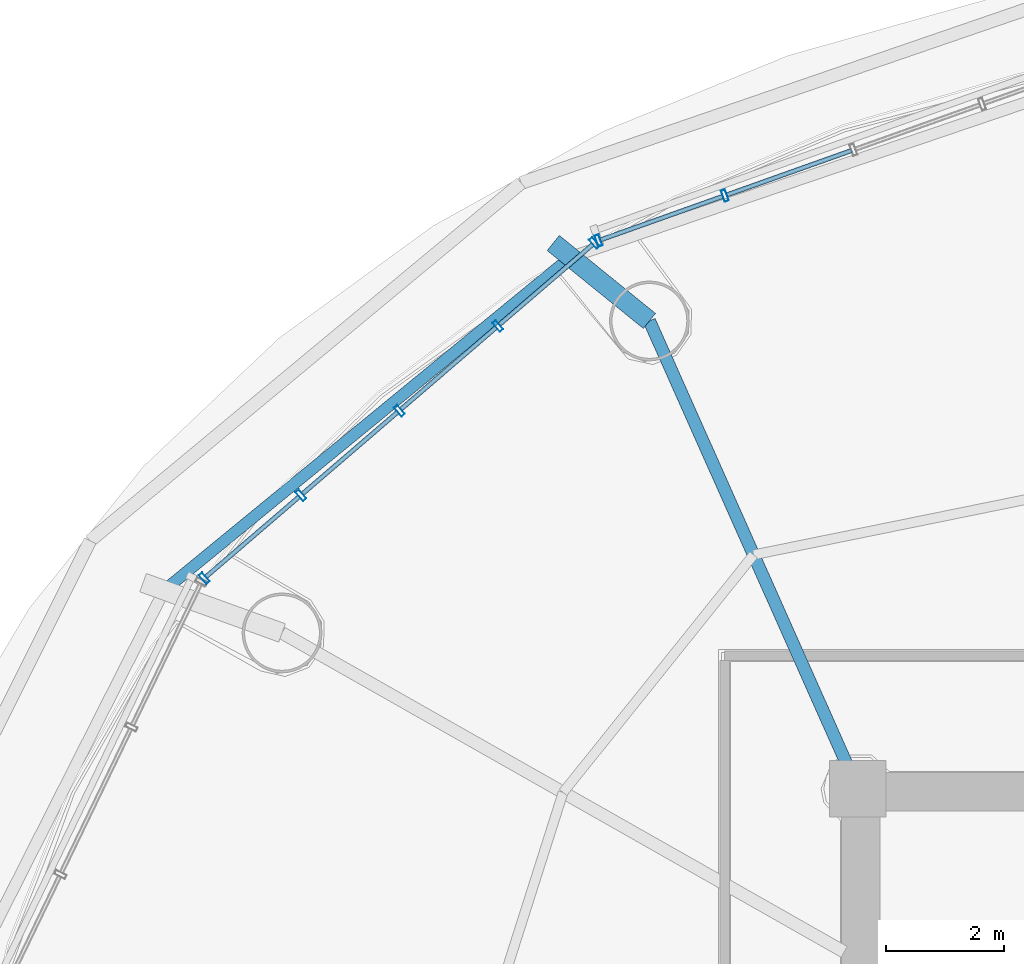
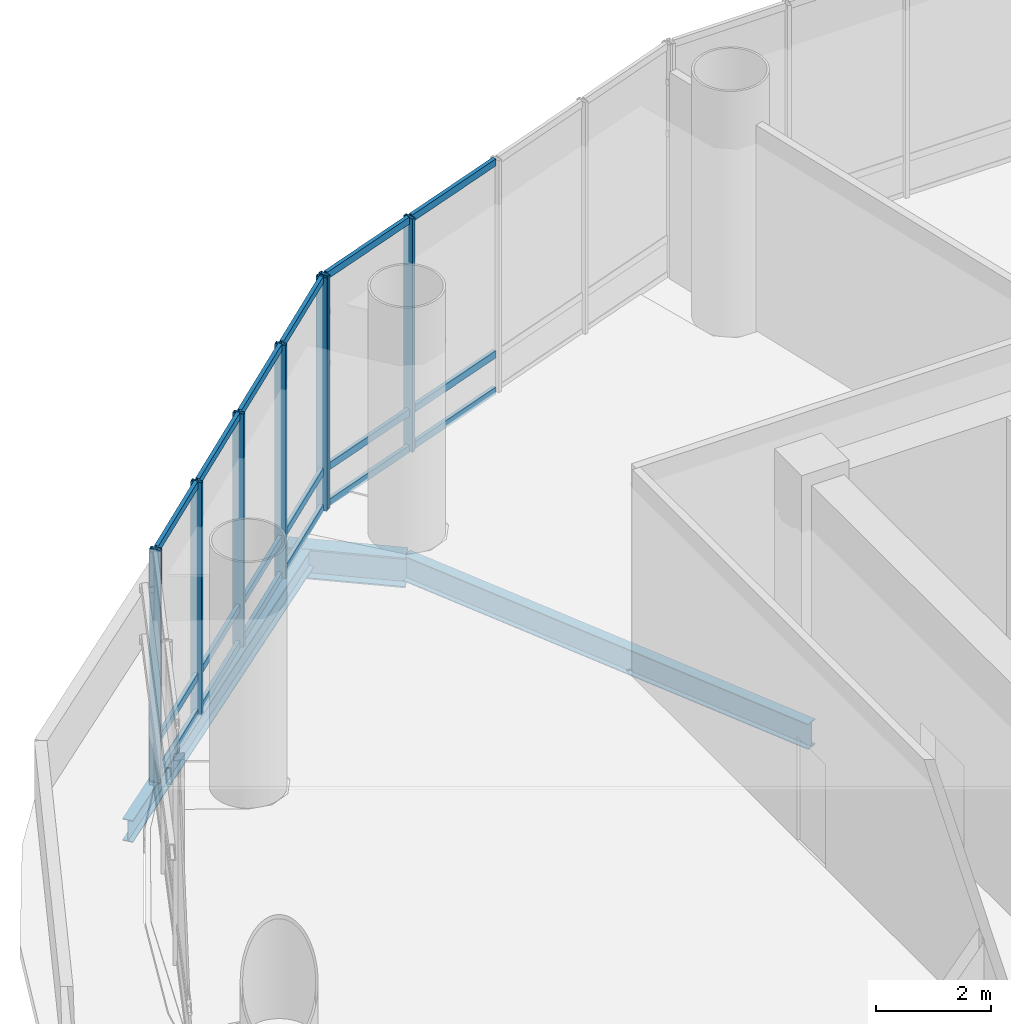
# One storey, part 14 of 29: 25 members, 3 beams, 2 elements without a shape of their own.
"""IFC4 building model written with IfcOpenShell, lengths in metres."""

from ifc_helpers import new_model, si_unit, direction, frame, origin, origin_2d, place, context, subcontext, project, spatial, hollow_rectangle, i_section, extrude, source, transform, mapped, material, material_profile, profile_set, type_object, element, aggregate, save


model = new_model("IFC4")

# Units and contexts
model_context = context("Model", 3, precision=1e-05, world=origin(), true_north=direction((-0.2419218956, 0.970295726276)))
body_context = subcontext(model_context, "Body", "Model", "MODEL_VIEW")
ifc_project = project(units=[si_unit("LENGTHUNIT", "METRE"), si_unit("AREAUNIT", "SQUARE_METRE"), si_unit("VOLUMEUNIT", "CUBIC_METRE"), si_unit("PLANEANGLEUNIT", "RADIAN"), si_unit("MASSUNIT", "GRAM", prefix="KILO")], contexts=[model_context])

# Site, building, storey
site_placement = place(None, origin())
site = spatial("IfcSite", under=ifc_project, at=site_placement, CompositionType="ELEMENT")
building_placement = place(site_placement, origin())
building = spatial("IfcBuilding", under=site, at=building_placement, Name="Cobrevalo Terracotta Tower", CompositionType="ELEMENT")
storey_placement = place(building_placement, frame((0.0, 0.0, 130.199951171875)))
storey = spatial("IfcBuildingStorey", under=building, at=storey_placement, Name="L34", CompositionType="ELEMENT", Elevation=130.199951171875)

# Beams
ifc_material_1 = material(Name="Steel S355", Category="steel")
ifc_material_profile_1 = material_profile(ifc_material_1, i_section(OverallWidth=0.2109375, OverallDepth=0.5390625, WebThickness=0.01171875, FlangeThickness=0.018798828125, at=origin_2d()), Name="W 530x109")
ifc_profile_set_1 = profile_set([ifc_material_profile_1], Name="Steel S355")
beam_type_1 = type_object("IfcBeamType", Name="Structural Beam W 530x109 (Steel S355)", PredefinedType="BEAM", material=ifc_profile_set_1)
beam_1_placement = place(storey_placement, frame((25.471923828125, 42.72265625, -0.719482421875), z_axis=(0.406804395691, -0.913515289224, 0.0), x_axis=(0.913515289224, 0.406804395691, 0.0)))
element("IfcBeam", 1, at=beam_1_placement, inside=storey, type_object=beam_type_1, Name="L34 radial floor girder 06", PredefinedType="BEAM", context=body_context, shape_type="SweptSolid", body=[
    extrude(i_section(OverallWidth=0.2109375, OverallDepth=0.5390625, WebThickness=0.01171875, FlangeThickness=0.018798828125, at=origin_2d()), origin(), (0.0, 0.0, 1.0), 8.672607421875),
])
ifc_material_profile_2 = material_profile(ifc_material_1, i_section(OverallWidth=0.3291015625, OverallDepth=0.635009765625, WebThickness=0.017822265625, FlangeThickness=0.031005859375, at=origin_2d()), Name="W 610x241")
ifc_profile_set_2 = profile_set([ifc_material_profile_2], Name="Steel S355")
beam_type_2 = type_object("IfcBeamType", Name="Structural Beam W 610x241 (Steel S355)", PredefinedType="BEAM", material=ifc_profile_set_2)
beam_2_placement = place(storey_placement, frame((23.84326171875, 44.04296875, -0.767333984375), z_axis=(0.776808092636, -0.629737395439, 0.0), x_axis=(0.629737395439, 0.776808092636, 0.0)))
element("IfcBeam", 2, at=beam_2_placement, inside=storey, type_object=beam_type_2, Name="L34 setback step-link girder 06", PredefinedType="BEAM", context=body_context, shape_type="SweptSolid", body=[
    extrude(i_section(OverallWidth=0.3291015625, OverallDepth=0.635009765625, WebThickness=0.017822265625, FlangeThickness=0.031005859375, at=origin_2d()), origin(), (0.0, 0.0, 1.0), 2.0966796875),
])
ifc_material_profile_3 = material_profile(ifc_material_1, i_section(OverallWidth=0.194091796875, OverallDepth=0.468994140625, WebThickness=0.011474609375, FlangeThickness=0.0205078125, at=origin_2d()), Name="W 460x106")
ifc_profile_set_3 = profile_set([ifc_material_profile_3], Name="Steel S355")
beam_type_3 = type_object("IfcBeamType", Name="Structural Spandrel W 460x106 (Steel S355)", PredefinedType="SPANDREL", material=ifc_profile_set_3)
beam_3_placement = place(storey_placement, frame((24.138427734375, 43.803466796875, -0.6845703125), z_axis=(-0.773400923541, -0.633917196064, 0.0), x_axis=(0.633917196064, -0.773400923541, 0.0)))
element("IfcBeam", 3, at=beam_3_placement, inside=storey, type_object=beam_type_3, Name="L34 perimeter ring spandrel 06", PredefinedType="SPANDREL", context=body_context, shape_type="SweptSolid", body=[
    extrude(i_section(OverallWidth=0.194091796875, OverallDepth=0.468994140625, WebThickness=0.011474609375, FlangeThickness=0.0205078125, at=origin_2d()), origin(), (0.0, 0.0, 1.0), 8.900390625),
])

# Curtain wall, members
ifc_material_2 = material(Name="Anodized aluminium", Category="aluminium")
curtain_wall_type = type_object("IfcCurtainWallType", Name="Double-height sky-lobby panoramic curtain wall CW-SK", PredefinedType="NOTDEFINED", material=ifc_material_2)
curtain_wall_1_placement = place(storey_placement, origin())
curtain_wall_1 = element("IfcCurtainWall", 4, at=curtain_wall_1_placement, inside=storey, type_object=curtain_wall_type, Name="L34 curtain wall CW-SK-L34-S05", PredefinedType="NOTDEFINED")
ifc_material_profile_4 = material_profile(ifc_material_2, hollow_rectangle(XDim=0.074951171875, YDim=0.199951171875, WallThickness=0.0048828125, at=origin_2d()), Name="CWM 75x200")
ifc_profile_set_4 = profile_set([ifc_material_profile_4], Name="Anodized aluminium")
member_type_1 = type_object("IfcMemberType", Name="Lower/mid tower unitised mullion 75x200", PredefinedType="MULLION", material=ifc_profile_set_4)
shared_shape_1 = source(origin(), body_context, "Body", "SweptSolid", [
    extrude(hollow_rectangle(XDim=0.074951171875, YDim=0.199951171875, WallThickness=0.0048828125, at=origin_2d()), origin(), (0.0, 0.0, 1.0), 4.929931640625),
])
member_1_placement = place(storey_placement, frame((26.75, 44.844970703125, 0.0), z_axis=(0.0, 0.0, 1.0), x_axis=(-0.942098428897, -0.335336473217, 0.0)))
member_1 = element("IfcMember", 5, at=member_1_placement, type_object=member_type_1, Name="CW-SK-L34-S05 vertical mullion 04", PredefinedType="MULLION", context=body_context, shape_type="MappedRepresentation", body=[
    mapped(shared_shape_1, transform((0.0, 0.0, 0.0), scale=1.0)),
])
member_2_placement = place(storey_placement, frame((24.609619140625, 44.0830078125, 0.0), z_axis=(0.0, 0.0, 1.0), x_axis=(-0.942098428897, -0.335336473217, 0.0)))
member_2 = element("IfcMember", 6, at=member_2_placement, type_object=member_type_1, Name="CW-SK-L34-S05 vertical mullion 05", PredefinedType="MULLION", context=body_context, shape_type="MappedRepresentation", body=[
    mapped(shared_shape_1, transform((0.0, 0.0, 0.0), scale=1.0)),
])

curtain_wall_2_placement = place(storey_placement, origin())
curtain_wall_2 = element("IfcCurtainWall", 7, at=curtain_wall_2_placement, inside=storey, type_object=curtain_wall_type, Name="L34 curtain wall CW-SK-L34-S06", PredefinedType="NOTDEFINED")
member_3_placement = place(storey_placement, frame((24.54150390625, 44.04345703125, 0.0), z_axis=(0.0, 0.0, 1.0), x_axis=(-0.758441546142, -0.65174106905, 0.0)))
member_3 = element("IfcMember", 8, at=member_3_placement, type_object=member_type_1, Name="CW-SK-L34-S06 vertical mullion 01", PredefinedType="MULLION", context=body_context, shape_type="MappedRepresentation", body=[
    mapped(shared_shape_1, transform((0.0, 0.0, 0.0), scale=1.0)),
])
member_4_placement = place(storey_placement, frame((22.90478515625, 42.636962890625, 0.0), z_axis=(0.0, 0.0, 1.0), x_axis=(-0.758441546142, -0.65174106905, 0.0)))
member_4 = element("IfcMember", 9, at=member_4_placement, type_object=member_type_1, Name="CW-SK-L34-S06 vertical mullion 02", PredefinedType="MULLION", context=body_context, shape_type="MappedRepresentation", body=[
    mapped(shared_shape_1, transform((0.0, 0.0, 0.0), scale=1.0)),
])
member_5_placement = place(storey_placement, frame((21.237548828125, 41.204345703125, 0.0), z_axis=(0.0, 0.0, 1.0), x_axis=(-0.758441546142, -0.65174106905, 0.0)))
member_5 = element("IfcMember", 10, at=member_5_placement, type_object=member_type_1, Name="CW-SK-L34-S06 vertical mullion 03", PredefinedType="MULLION", context=body_context, shape_type="MappedRepresentation", body=[
    mapped(shared_shape_1, transform((0.0, 0.0, 0.0), scale=1.0)),
])
member_6_placement = place(storey_placement, frame((19.570556640625, 39.771728515625, 0.0), z_axis=(0.0, 0.0, 1.0), x_axis=(-0.758441546142, -0.65174106905, 0.0)))
member_6 = element("IfcMember", 11, at=member_6_placement, type_object=member_type_1, Name="CW-SK-L34-S06 vertical mullion 04", PredefinedType="MULLION", context=body_context, shape_type="MappedRepresentation", body=[
    mapped(shared_shape_1, transform((0.0, 0.0, 0.0), scale=1.0)),
])
member_7_placement = place(storey_placement, frame((17.933837890625, 38.365234375, 0.0), z_axis=(0.0, 0.0, 1.0), x_axis=(-0.758441546142, -0.65174106905, 0.0)))
member_7 = element("IfcMember", 12, at=member_7_placement, type_object=member_type_1, Name="CW-SK-L34-S06 vertical mullion 05", PredefinedType="MULLION", context=body_context, shape_type="MappedRepresentation", body=[
    mapped(shared_shape_1, transform((0.0, 0.0, 0.0), scale=1.0)),
])
ifc_material_profile_5 = material_profile(ifc_material_2, hollow_rectangle(XDim=0.074951171875, YDim=0.14990234375, WallThickness=0.00439453125, at=origin_2d()), Name="CWT 75x150")
ifc_profile_set_5 = profile_set([ifc_material_profile_5], Name="Anodized aluminium")
member_type_2 = type_object("IfcMemberType", Name="Tower unitised aluminium transom 75x150", PredefinedType="USERDEFINED", material=ifc_profile_set_5)
shared_shape_2 = source(origin(), body_context, "Body", "SweptSolid", [
    extrude(hollow_rectangle(XDim=0.074951171875, YDim=0.14990234375, WallThickness=0.00439453125, at=origin_2d()), origin(), (0.0, 0.0, 1.0), 2.078125),
])
member_8_placement = place(storey_placement, frame((24.51123046875, 44.017578125, 0.050048828125), z_axis=(-0.758426741801, -0.651758296703, 0.0), x_axis=(0.651758296703, -0.758426741801, 0.0)))
member_8 = element("IfcMember", 13, at=member_8_placement, type_object=member_type_2, Name="CW-SK-L34-S06 transom B01-T1", ObjectType="TRANSOM", PredefinedType="USERDEFINED", context=body_context, shape_type="MappedRepresentation", body=[
    mapped(shared_shape_2, transform((0.0, 0.0, 0.0), scale=1.0)),
])
member_9_placement = place(storey_placement, frame((24.51123046875, 44.017578125, 0.820068359375), z_axis=(-0.758426741801, -0.651758296703, 0.0), x_axis=(0.651758296703, -0.758426741801, 0.0)))
member_9 = element("IfcMember", 14, at=member_9_placement, type_object=member_type_2, Name="CW-SK-L34-S06 transom B01-T2", ObjectType="TRANSOM", PredefinedType="USERDEFINED", context=body_context, shape_type="MappedRepresentation", body=[
    mapped(shared_shape_2, transform((0.0, 0.0, 0.0), scale=1.0)),
])
member_10_placement = place(storey_placement, frame((24.51123046875, 44.017578125, 4.880126953125), z_axis=(-0.758426741801, -0.651758296703, 0.0), x_axis=(0.651758296703, -0.758426741801, 0.0)))
member_10 = element("IfcMember", 15, at=member_10_placement, type_object=member_type_2, Name="CW-SK-L34-S06 transom B01-T3", ObjectType="TRANSOM", PredefinedType="USERDEFINED", context=body_context, shape_type="MappedRepresentation", body=[
    mapped(shared_shape_2, transform((0.0, 0.0, 0.0), scale=1.0)),
])
member_11_placement = place(storey_placement, frame((19.540283203125, 39.745849609375, 0.050048828125), z_axis=(-0.758426741801, -0.651758296703, 0.0), x_axis=(0.651758296703, -0.758426741801, 0.0)))
member_11 = element("IfcMember", 16, at=member_11_placement, type_object=member_type_2, Name="CW-SK-L34-S06 transom B04-T1", ObjectType="TRANSOM", PredefinedType="USERDEFINED", context=body_context, shape_type="MappedRepresentation", body=[
    mapped(shared_shape_2, transform((0.0, 0.0, 0.0), scale=1.0)),
])
member_12_placement = place(storey_placement, frame((19.540283203125, 39.745849609375, 0.820068359375), z_axis=(-0.758426741801, -0.651758296703, 0.0), x_axis=(0.651758296703, -0.758426741801, 0.0)))
member_12 = element("IfcMember", 17, at=member_12_placement, type_object=member_type_2, Name="CW-SK-L34-S06 transom B04-T2", ObjectType="TRANSOM", PredefinedType="USERDEFINED", context=body_context, shape_type="MappedRepresentation", body=[
    mapped(shared_shape_2, transform((0.0, 0.0, 0.0), scale=1.0)),
])
member_13_placement = place(storey_placement, frame((19.540283203125, 39.745849609375, 4.880126953125), z_axis=(-0.758426741801, -0.651758296703, 0.0), x_axis=(0.651758296703, -0.758426741801, 0.0)))
member_13 = element("IfcMember", 18, at=member_13_placement, type_object=member_type_2, Name="CW-SK-L34-S06 transom B04-T3", ObjectType="TRANSOM", PredefinedType="USERDEFINED", context=body_context, shape_type="MappedRepresentation", body=[
    mapped(shared_shape_2, transform((0.0, 0.0, 0.0), scale=1.0)),
])
shared_shape_3 = source(origin(), body_context, "Body", "SweptSolid", [
    extrude(hollow_rectangle(XDim=0.074951171875, YDim=0.14990234375, WallThickness=0.00439453125, at=origin_2d()), origin(), (0.0, 0.0, 1.0), 2.117919921875),
])
member_14_placement = place(storey_placement, frame((22.87451171875, 42.61083984375, 0.050048828125), z_axis=(-0.758458654149, -0.651721159659, 0.0), x_axis=(0.651721159659, -0.758458654149, 0.0)))
member_14 = element("IfcMember", 19, at=member_14_placement, type_object=member_type_2, Name="CW-SK-L34-S06 transom B02-T1", ObjectType="TRANSOM", PredefinedType="USERDEFINED", context=body_context, shape_type="MappedRepresentation", body=[
    mapped(shared_shape_3, transform((0.0, 0.0, 0.0), scale=1.0)),
])
member_15_placement = place(storey_placement, frame((22.87451171875, 42.61083984375, 0.820068359375), z_axis=(-0.758458654149, -0.651721159659, 0.0), x_axis=(0.651721159659, -0.758458654149, 0.0)))
member_15 = element("IfcMember", 20, at=member_15_placement, type_object=member_type_2, Name="CW-SK-L34-S06 transom B02-T2", ObjectType="TRANSOM", PredefinedType="USERDEFINED", context=body_context, shape_type="MappedRepresentation", body=[
    mapped(shared_shape_3, transform((0.0, 0.0, 0.0), scale=1.0)),
])
member_16_placement = place(storey_placement, frame((22.87451171875, 42.61083984375, 4.880126953125), z_axis=(-0.758458654149, -0.651721159659, 0.0), x_axis=(0.651721159659, -0.758458654149, 0.0)))
member_16 = element("IfcMember", 21, at=member_16_placement, type_object=member_type_2, Name="CW-SK-L34-S06 transom B02-T3", ObjectType="TRANSOM", PredefinedType="USERDEFINED", context=body_context, shape_type="MappedRepresentation", body=[
    mapped(shared_shape_3, transform((0.0, 0.0, 0.0), scale=1.0)),
])
member_17_placement = place(storey_placement, frame((21.207275390625, 41.17822265625, 0.050048828125), z_axis=(-0.758458654149, -0.651721159659, 0.0), x_axis=(0.651721159659, -0.758458654149, 0.0)))
member_17 = element("IfcMember", 22, at=member_17_placement, type_object=member_type_2, Name="CW-SK-L34-S06 transom B03-T1", ObjectType="TRANSOM", PredefinedType="USERDEFINED", context=body_context, shape_type="MappedRepresentation", body=[
    mapped(shared_shape_3, transform((0.0, 0.0, 0.0), scale=1.0)),
])
member_18_placement = place(storey_placement, frame((21.207275390625, 41.17822265625, 0.820068359375), z_axis=(-0.758458654149, -0.651721159659, 0.0), x_axis=(0.651721159659, -0.758458654149, 0.0)))
member_18 = element("IfcMember", 23, at=member_18_placement, type_object=member_type_2, Name="CW-SK-L34-S06 transom B03-T2", ObjectType="TRANSOM", PredefinedType="USERDEFINED", context=body_context, shape_type="MappedRepresentation", body=[
    mapped(shared_shape_3, transform((0.0, 0.0, 0.0), scale=1.0)),
])
member_19_placement = place(storey_placement, frame((21.207275390625, 41.17822265625, 4.880126953125), z_axis=(-0.758458654149, -0.651721159659, 0.0), x_axis=(0.651721159659, -0.758458654149, 0.0)))
member_19 = element("IfcMember", 24, at=member_19_placement, type_object=member_type_2, Name="CW-SK-L34-S06 transom B03-T3", ObjectType="TRANSOM", PredefinedType="USERDEFINED", context=body_context, shape_type="MappedRepresentation", body=[
    mapped(shared_shape_3, transform((0.0, 0.0, 0.0), scale=1.0)),
])
aggregate(curtain_wall_2, [member_3, member_4, member_5, member_6, member_7, member_8, member_9, member_10, member_14, member_15, member_16, member_17, member_18, member_19, member_11, member_12, member_13])

# Member
shared_shape_4 = source(origin(), body_context, "Body", "SweptSolid", [
    extrude(hollow_rectangle(XDim=0.074951171875, YDim=0.14990234375, WallThickness=0.00439453125, at=origin_2d()), origin(), (0.0, 0.0, 1.0), 2.192138671875),
])
member_20_placement = place(storey_placement, frame((26.71240234375, 44.83154296875, 0.050048828125), z_axis=(-0.942096668248, -0.335341419564, 0.0), x_axis=(0.335341419564, -0.942096668248, 0.0)))
member_20 = element("IfcMember", 25, at=member_20_placement, type_object=member_type_2, Name="CW-SK-L34-S05 transom B04-T1", ObjectType="TRANSOM", PredefinedType="USERDEFINED", context=body_context, shape_type="MappedRepresentation", body=[
    mapped(shared_shape_4, transform((0.0, 0.0, 0.0), scale=1.0)),
])

member_21_placement = place(storey_placement, frame((26.71240234375, 44.83154296875, 0.820068359375), z_axis=(-0.942096668248, -0.335341419564, 0.0), x_axis=(0.335341419564, -0.942096668248, 0.0)))
member_21 = element("IfcMember", 26, at=member_21_placement, type_object=member_type_2, Name="CW-SK-L34-S05 transom B04-T2", ObjectType="TRANSOM", PredefinedType="USERDEFINED", context=body_context, shape_type="MappedRepresentation", body=[
    mapped(shared_shape_4, transform((0.0, 0.0, 0.0), scale=1.0)),
])

member_22_placement = place(storey_placement, frame((26.71240234375, 44.83154296875, 4.880126953125), z_axis=(-0.942096668248, -0.335341419564, 0.0), x_axis=(0.335341419564, -0.942096668248, 0.0)))
member_22 = element("IfcMember", 27, at=member_22_placement, type_object=member_type_2, Name="CW-SK-L34-S05 transom B04-T3", ObjectType="TRANSOM", PredefinedType="USERDEFINED", context=body_context, shape_type="MappedRepresentation", body=[
    mapped(shared_shape_4, transform((0.0, 0.0, 0.0), scale=1.0)),
])

shared_shape_5 = source(origin(), body_context, "Body", "SweptSolid", [
    extrude(hollow_rectangle(XDim=0.074951171875, YDim=0.14990234375, WallThickness=0.00439453125, at=origin_2d()), origin(), (0.0, 0.0, 1.0), 2.23193359375),
])
member_23_placement = place(storey_placement, frame((28.890625, 45.60693359375, 0.050048828125), z_axis=(-0.942090332104, -0.335359219579, 0.0), x_axis=(0.335359219579, -0.942090332104, 0.0)))
member_23 = element("IfcMember", 28, at=member_23_placement, type_object=member_type_2, Name="CW-SK-L34-S05 transom B03-T1", ObjectType="TRANSOM", PredefinedType="USERDEFINED", context=body_context, shape_type="MappedRepresentation", body=[
    mapped(shared_shape_5, transform((0.0, 0.0, 0.0), scale=1.0)),
])

member_24_placement = place(storey_placement, frame((28.890625, 45.60693359375, 0.820068359375), z_axis=(-0.942090332104, -0.335359219579, 0.0), x_axis=(0.335359219579, -0.942090332104, 0.0)))
member_24 = element("IfcMember", 29, at=member_24_placement, type_object=member_type_2, Name="CW-SK-L34-S05 transom B03-T2", ObjectType="TRANSOM", PredefinedType="USERDEFINED", context=body_context, shape_type="MappedRepresentation", body=[
    mapped(shared_shape_5, transform((0.0, 0.0, 0.0), scale=1.0)),
])

member_25_placement = place(storey_placement, frame((28.890625, 45.60693359375, 4.880126953125), z_axis=(-0.942090332104, -0.335359219579, 0.0), x_axis=(0.335359219579, -0.942090332104, 0.0)))
member_25 = element("IfcMember", 30, at=member_25_placement, type_object=member_type_2, Name="CW-SK-L34-S05 transom B03-T3", ObjectType="TRANSOM", PredefinedType="USERDEFINED", context=body_context, shape_type="MappedRepresentation", body=[
    mapped(shared_shape_5, transform((0.0, 0.0, 0.0), scale=1.0)),
])

aggregate(curtain_wall_1, [member_1, member_2, member_23, member_24, member_25, member_20, member_21, member_22])

save(model, "model.ifc")
